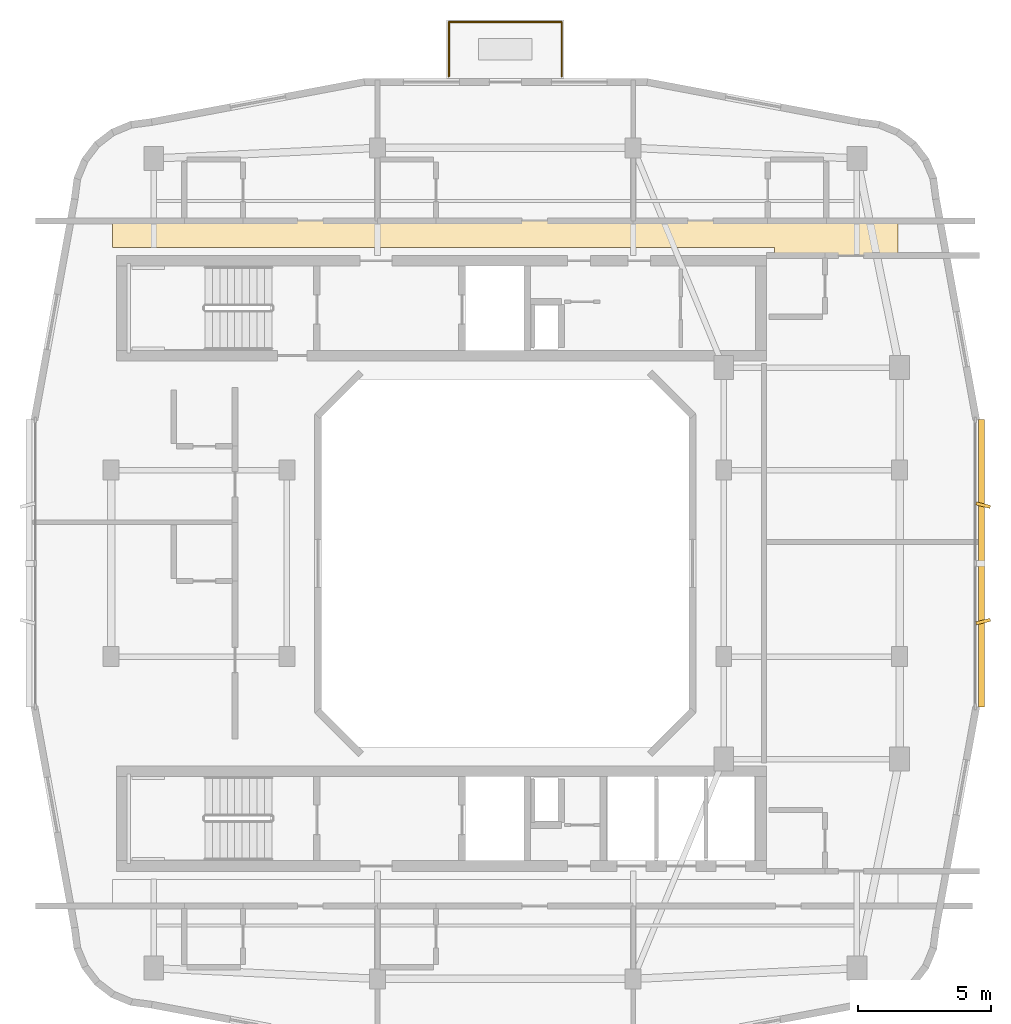
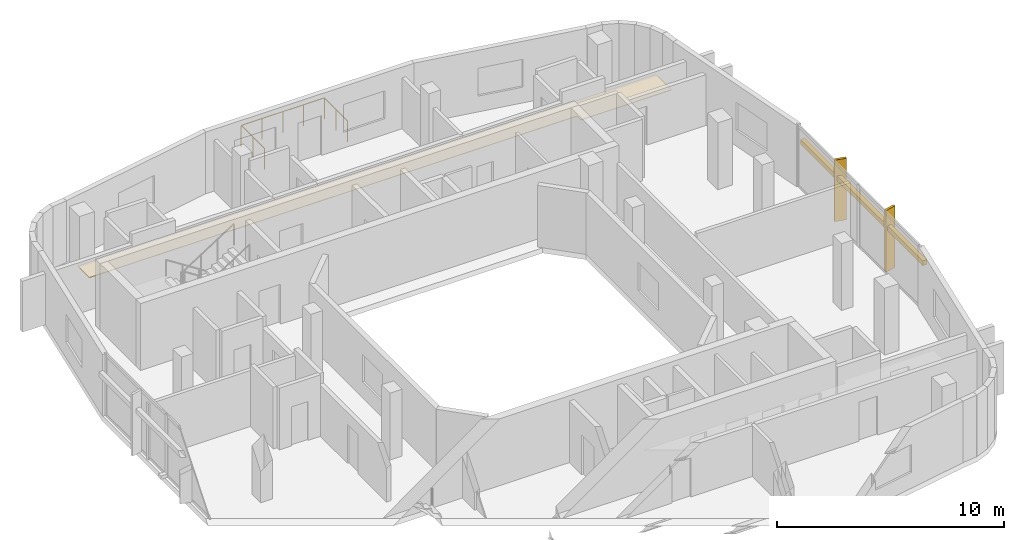
# One storey, part 10 of 10: 3 railings, 3 shading devices, 1 covering.
"""IFC4 building model written with IfcOpenShell, lengths in metres."""

from ifc_helpers import new_model, si_unit, derived_unit, direction, frame, origin, origin_2d, place, context, subcontext, project, spatial, polyline, rectangle, circle, outline, extrude, material, layer, layer_set, type_object, element, save


model = new_model("IFC4")

# Units and contexts
model_context = context("Model", 3, precision=1e-05, world=origin(), true_north=direction((0.0, 1.0)))
body_context = subcontext(model_context, "Body", "Model", "MODEL_VIEW")
ifc_project = project(units=[si_unit("LENGTHUNIT", "METRE"), si_unit("AREAUNIT", "SQUARE_METRE"), si_unit("VOLUMEUNIT", "CUBIC_METRE"), si_unit("PLANEANGLEUNIT", "RADIAN"), si_unit("MASSUNIT", "GRAM", prefix="KILO"), derived_unit("THERMALTRANSMITTANCEUNIT", [(si_unit("POWERUNIT", "WATT"), 1), (si_unit("LENGTHUNIT", "METRE"), -2), (si_unit("THERMODYNAMICTEMPERATUREUNIT", "KELVIN"), -1)])], contexts=[model_context])

# Site, building, storey
site_placement = place(None, origin())
site = spatial("IfcSite", under=ifc_project, at=site_placement, CompositionType="ELEMENT")
building_placement = place(site_placement, origin())
building = spatial("IfcBuilding", under=site, at=building_placement, Name="Kivonza Crest Hotel", CompositionType="ELEMENT")
storey_placement = place(building_placement, frame((0.0, 0.0, 254.0)))
storey = spatial("IfcBuildingStorey", under=building, at=storey_placement, Name="L69", CompositionType="ELEMENT", Elevation=254.0)

# Covering
ifc_material_1 = material(Name="Moisture-resistant gypsum plasterboard ceiling", Category="gypsum")
ifc_layer = layer(ifc_material_1, 0.030029296875)
ifc_layer_set = layer_set([ifc_layer], Name="Moisture-resistant gypsum plasterboard ceiling")
covering_type = type_object("IfcCoveringType", Name="CV-CEIL-GYP", PredefinedType="CEILING", material=ifc_layer_set)
covering_placement = place(storey_placement, frame((0.0, 0.0, 2.449951171875)))
element("IfcCovering", 1, at=covering_placement, inside=storey, type_object=covering_type, Name="L69 Hotel North Guest Corridor suspended ceiling", PredefinedType="CEILING", context=body_context, shape_type="SweptSolid", body=[
    extrude(outline(polyline([(35.739990234375, 36.52001953125), (35.739990234375, 37.89990234375), (6.260009765625, 37.89990234375), (6.260009765625, 36.860107421875), (31.10009765625, 36.860107421875), (31.10009765625, 36.52001953125), (35.739990234375, 36.52001953125)])), origin(), (0.0, 0.0, 1.0), 0.030029296875),
])

# Railings
ifc_material_2 = material(Name="Laminated glass and stainless steel balustrade", Category="steel")
railing_type = type_object("IfcRailingType", Name="RL-TERR-1150", PredefinedType="BALUSTRADE", material=ifc_material_2)
railing_1_placement = place(storey_placement, frame((18.8798828125, 43.280029296875, 0.0)))
element("IfcRailing", 2, at=railing_1_placement, inside=storey, type_object=railing_type, Name="L69 T1-L69-SG-NE perimeter safety balustrade 1", PredefinedType="BALUSTRADE", context=body_context, shape_type="SweptSolid", body=[
    extrude(circle(Radius=0.02392578125, at=origin_2d()), frame((0.0, 0.0, 1.1259765625), z_axis=(0.0, 1.0, 0.0), x_axis=(-1.0, 0.0, 0.0)), (0.0, 0.0, 1.0), 2.0400390625),
    extrude(circle(Radius=0.02099609375, at=origin_2d()), origin(), (0.0, 0.0, 1.0), 1.101806640625),
    extrude(circle(Radius=0.02099609375, at=origin_2d()), frame((0.0, 1.02001953125, 0.0)), (0.0, 0.0, 1.0), 1.101806640625),
    extrude(circle(Radius=0.02099609375, at=origin_2d()), frame((0.0, 2.0400390625, 0.0)), (0.0, 0.0, 1.0), 1.101806640625),
])
railing_2_placement = place(storey_placement, frame((18.8798828125, 45.320068359375, 0.0)))
element("IfcRailing", 3, at=railing_2_placement, inside=storey, type_object=railing_type, Name="L69 T1-L69-SG-NE perimeter safety balustrade 2", PredefinedType="BALUSTRADE", context=body_context, shape_type="SweptSolid", body=[
    extrude(circle(Radius=0.02392578125, at=origin_2d()), frame((0.0, 0.0, 1.1259765625), z_axis=(1.0, 0.0, 0.0), x_axis=(0.0, 1.0, 0.0)), (0.0, 0.0, 1.0), 4.240234375),
    extrude(circle(Radius=0.02099609375, at=origin_2d()), origin(), (0.0, 0.0, 1.0), 1.101806640625),
    extrude(circle(Radius=0.02099609375, at=origin_2d()), frame((1.06005859375, 0.0, 0.0)), (0.0, 0.0, 1.0), 1.101806640625),
    extrude(circle(Radius=0.02099609375, at=origin_2d()), frame((2.1201171875, 0.0, 0.0)), (0.0, 0.0, 1.0), 1.101806640625),
    extrude(circle(Radius=0.02099609375, at=origin_2d()), frame((3.18017578125, 0.0, 0.0)), (0.0, 0.0, 1.0), 1.101806640625),
    extrude(circle(Radius=0.02099609375, at=origin_2d()), frame((4.240234375, 0.0, 0.0)), (0.0, 0.0, 1.0), 1.101806640625),
])
railing_3_placement = place(storey_placement, frame((23.1201171875, 45.320068359375, 0.0)))
element("IfcRailing", 4, at=railing_3_placement, inside=storey, type_object=railing_type, Name="L69 T1-L69-SG-NE perimeter safety balustrade 3", PredefinedType="BALUSTRADE", context=body_context, shape_type="SweptSolid", body=[
    extrude(circle(Radius=0.02392578125, at=origin_2d()), frame((0.0, 0.0, 1.1259765625), z_axis=(0.0, -1.0, 0.0), x_axis=(1.0, 0.0, 0.0)), (0.0, 0.0, 1.0), 2.0400390625),
    extrude(circle(Radius=0.02099609375, at=origin_2d()), origin(), (0.0, 0.0, 1.0), 1.101806640625),
    extrude(circle(Radius=0.02099609375, at=origin_2d()), frame((0.0, -1.02001953125, 0.0)), (0.0, 0.0, 1.0), 1.101806640625),
    extrude(circle(Radius=0.02099609375, at=origin_2d()), frame((0.0, -2.0400390625, 0.0)), (0.0, 0.0, 1.0), 1.101806640625),
])

# Shading devices
ifc_material_3 = material(Name="Kiln-fired Nairobi red-ochre terracotta", Category="masonry")
shading_device_type_1 = type_object("IfcShadingDeviceType", Name="SH-BAGUETTE-300", PredefinedType="USERDEFINED", material=ifc_material_3)
shading_device_placement = place(storey_placement, frame((38.8798828125, 25.0, 2.19384765625), z_axis=(0.0, 0.0, 1.0), x_axis=(0.0, 1.0, 0.0)))
element("IfcShadingDevice", 5, at=shading_device_placement, inside=storey, type_object=shading_device_type_1, Name="L69 terracotta baguette screen CW-T1-L69-17", ObjectType="BAGUETTE", PredefinedType="USERDEFINED", context=body_context, shape_type="SweptSolid", body=[
    extrude(rectangle(XDim=10.800048828125, YDim=0.219970703125, at=origin_2d()), origin(), (0.0, 0.0, 1.0), 0.260009765625),
])
ifc_material_4 = material(Name="Kiln-fired terracotta over extruded aluminium spine", Category="masonry")
shading_device_type_2 = type_object("IfcShadingDeviceType", Name="SH-FIN-550", PredefinedType="USERDEFINED", material=ifc_material_4)
for number, where, z_axis, x_axis, name in (
    (6, (38.93994140625, 22.81591796875, 0.0), (0.0, 0.0, 1.0), (-0.2419218956, 0.970295726276, 0.0), "L69 vertical solar shading fin CW-T1-L69-17-1"),
    (7, (38.93994140625, 27.18408203125, 0.0), (0.0, 0.0, 1.0), (0.2419218956, 0.970295726276, 0.0), "L69 vertical solar shading fin CW-T1-L69-17-2"),
):
    element("IfcShadingDevice", number, at=place(storey_placement, frame(where, z_axis=z_axis, x_axis=x_axis)), inside=storey, type_object=shading_device_type_2, Name=name, ObjectType="FIN", PredefinedType="USERDEFINED", context=body_context, shape_type="SweptSolid", body=[
        extrude(rectangle(XDim=0.1201171875, YDim=0.550048828125, at=origin_2d()), origin(), (0.0, 0.0, 1.0), 3.320068359375),
    ])

save(model, "model.ifc")
